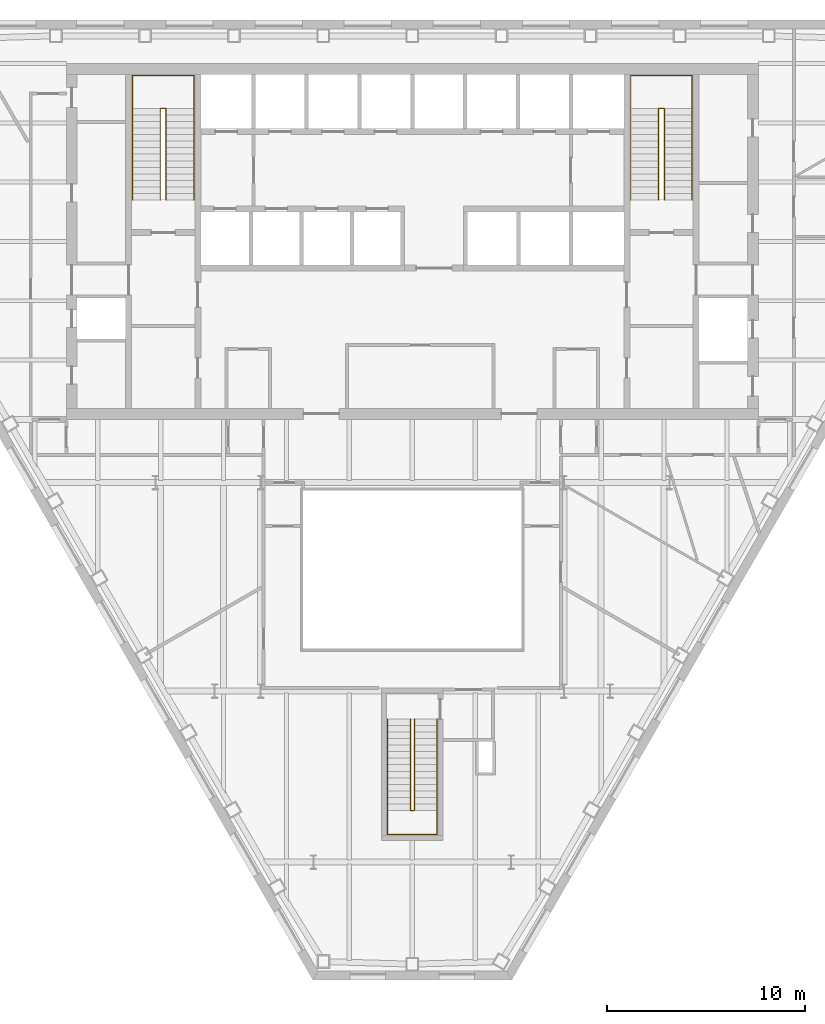
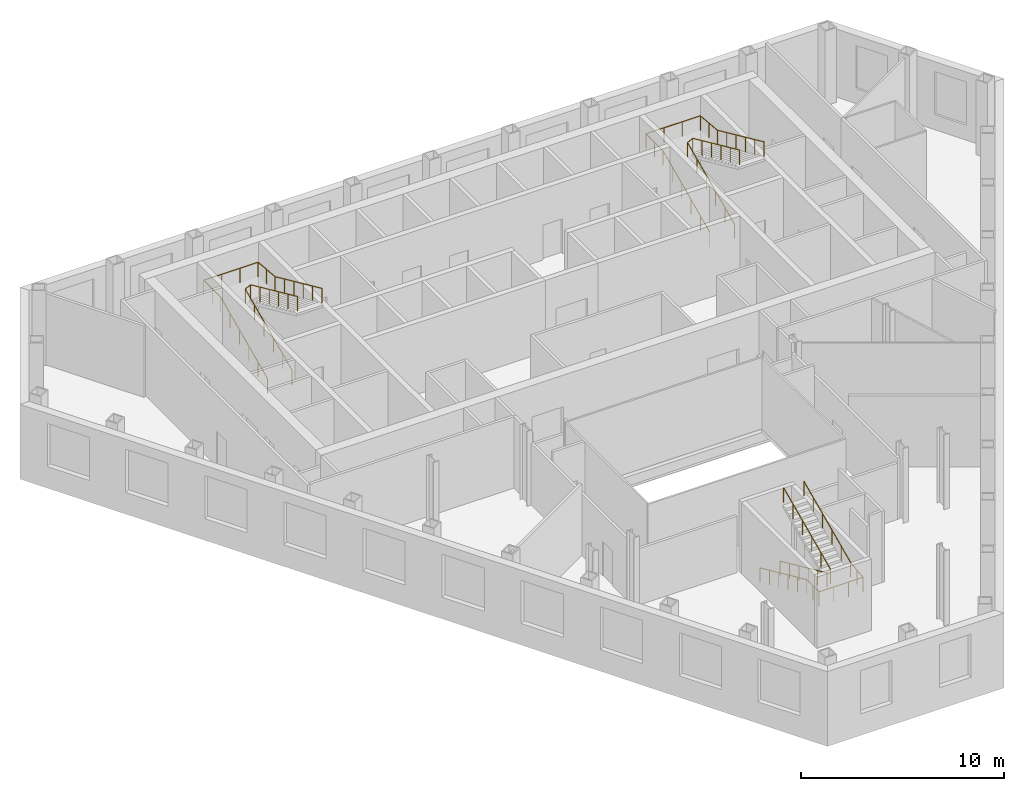
# One storey, part 11 of 11: 6 railings.
"""IFC4 building model written with IfcOpenShell, lengths in metres."""

from ifc_helpers import new_model, si_unit, direction, frame, origin, origin_2d, place, context, subcontext, project, spatial, circle, extrude, material, type_object, element, save


model = new_model("IFC4")

# Units and contexts
model_context = context("Model", 3, precision=1e-05, world=origin(), true_north=direction((0.0, 1.0)))
body_context = subcontext(model_context, "Body", "Model", "MODEL_VIEW")
ifc_project = project(units=[si_unit("LENGTHUNIT", "METRE"), si_unit("AREAUNIT", "SQUARE_METRE"), si_unit("VOLUMEUNIT", "CUBIC_METRE"), si_unit("PLANEANGLEUNIT", "RADIAN"), si_unit("MASSUNIT", "GRAM", prefix="KILO")], contexts=[model_context])

# Site, building, storey
site_placement = place(None, origin())
site = spatial("IfcSite", under=ifc_project, at=site_placement, CompositionType="ELEMENT")
building_placement = place(site_placement, origin())
building = spatial("IfcBuilding", under=site, at=building_placement, Name="Njiva Tower", CompositionType="ELEMENT")
storey_placement = place(building_placement, frame((0.0, 0.0, 102.3)))
storey = spatial("IfcBuildingStorey", under=building, at=storey_placement, Name="L21", CompositionType="ELEMENT", Elevation=102.3)

# Railings
ifc_material = material(Name="Stainless steel", Category="steel")
railing_type = type_object("IfcRailingType", Name="RL1 Stair handrail 900", PredefinedType="HANDRAIL", material=ifc_material)
railing_1_placement = place(storey_placement, frame((-14.15, 11.1, 0.15)))
element("IfcRailing", 1, at=railing_1_placement, inside=storey, type_object=railing_type, Name="Stair A handrail", PredefinedType="HANDRAIL", context=body_context, shape_type="SweptSolid", body=[
    extrude(circle(Radius=0.024, at=origin_2d()), frame((0.0, 0.0, 0.876), z_axis=(0.0, 0.910366477463, 0.413802944301), x_axis=(-1.0, 0.0, 0.0)), (0.0, 0.0, 1.0), 5.0749),
    extrude(circle(Radius=0.024, at=origin_2d()), frame((0.0, 4.62, 2.976), z_axis=(0.0, 1.0, 0.0), x_axis=(-1.0, 0.0, 0.0)), (0.0, 0.0, 1.0), 1.68),
    extrude(circle(Radius=0.024, at=origin_2d()), frame((0.0, 6.3, 2.976), z_axis=(1.0, 0.0, 0.0), x_axis=(0.0, 1.0, 0.0)), (0.0, 0.0, 1.0), 3.1),
    extrude(circle(Radius=0.024, at=origin_2d()), frame((3.1, 6.3, 2.976), z_axis=(0.0, -0.996037705314, 0.088931937975), x_axis=(1.0, 0.0, 0.0)), (0.0, 0.0, 1.0), 1.6867),
    extrude(circle(Radius=0.024, at=origin_2d()), frame((3.1, 4.62, 3.126), z_axis=(0.0, -0.910366477463, 0.413802944301), x_axis=(1.0, 0.0, 0.0)), (0.0, 0.0, 1.0), 5.0749),
    extrude(circle(Radius=0.021, at=origin_2d()), origin(), (0.0, 0.0, 1.0), 0.852),
    extrude(circle(Radius=0.021, at=origin_2d()), frame((0.0, 0.924, 0.42)), (0.0, 0.0, 1.0), 0.852),
    extrude(circle(Radius=0.021, at=origin_2d()), frame((0.0, 1.848, 0.84)), (0.0, 0.0, 1.0), 0.852),
    extrude(circle(Radius=0.021, at=origin_2d()), frame((0.0, 2.772, 1.26)), (0.0, 0.0, 1.0), 0.852),
    extrude(circle(Radius=0.021, at=origin_2d()), frame((0.0, 3.696, 1.68)), (0.0, 0.0, 1.0), 0.852),
    extrude(circle(Radius=0.021, at=origin_2d()), frame((0.0, 4.62, 2.1)), (0.0, 0.0, 1.0), 0.852),
    extrude(circle(Radius=0.021, at=origin_2d()), frame((0.0, 5.46, 2.1)), (0.0, 0.0, 1.0), 0.852),
    extrude(circle(Radius=0.021, at=origin_2d()), frame((0.0, 6.3, 2.1)), (0.0, 0.0, 1.0), 0.852),
    extrude(circle(Radius=0.021, at=origin_2d()), frame((1.0333, 6.3, 2.1)), (0.0, 0.0, 1.0), 0.852),
    extrude(circle(Radius=0.021, at=origin_2d()), frame((2.0667, 6.3, 2.1)), (0.0, 0.0, 1.0), 0.852),
    extrude(circle(Radius=0.021, at=origin_2d()), frame((3.1, 6.3, 2.1)), (0.0, 0.0, 1.0), 0.852),
    extrude(circle(Radius=0.021, at=origin_2d()), frame((3.1, 5.46, 2.175)), (0.0, 0.0, 1.0), 0.852),
    extrude(circle(Radius=0.021, at=origin_2d()), frame((3.1, 4.62, 2.25)), (0.0, 0.0, 1.0), 0.852),
    extrude(circle(Radius=0.021, at=origin_2d()), frame((3.1, 3.696, 2.67)), (0.0, 0.0, 1.0), 0.852),
    extrude(circle(Radius=0.021, at=origin_2d()), frame((3.1, 2.772, 3.09)), (0.0, 0.0, 1.0), 0.852),
    extrude(circle(Radius=0.021, at=origin_2d()), frame((3.1, 1.848, 3.51)), (0.0, 0.0, 1.0), 0.852),
    extrude(circle(Radius=0.021, at=origin_2d()), frame((3.1, 0.924, 3.93)), (0.0, 0.0, 1.0), 0.852),
    extrude(circle(Radius=0.021, at=origin_2d()), frame((3.1, 0.0, 4.35)), (0.0, 0.0, 1.0), 0.852),
])
railing_2_placement = place(storey_placement, frame((-12.75, 11.1, 0.15)))
element("IfcRailing", 2, at=railing_2_placement, inside=storey, type_object=railing_type, Name="Stair A handrail", PredefinedType="HANDRAIL", context=body_context, shape_type="SweptSolid", body=[
    extrude(circle(Radius=0.024, at=origin_2d()), frame((0.0, 0.0, 0.876), z_axis=(0.0, 0.910366477463, 0.413802944301), x_axis=(-1.0, 0.0, 0.0)), (0.0, 0.0, 1.0), 5.0749),
    extrude(circle(Radius=0.024, at=origin_2d()), frame((0.0, 4.62, 2.976), z_axis=(0.894427191, 0.0, 0.4472135955), x_axis=(0.0, 1.0, 0.0)), (0.0, 0.0, 1.0), 0.3354),
    extrude(circle(Radius=0.024, at=origin_2d()), frame((0.3, 4.62, 3.126), z_axis=(0.0, -0.910366477463, 0.413802944301), x_axis=(1.0, 0.0, 0.0)), (0.0, 0.0, 1.0), 5.0749),
    extrude(circle(Radius=0.021, at=origin_2d()), origin(), (0.0, 0.0, 1.0), 0.852),
    extrude(circle(Radius=0.021, at=origin_2d()), frame((0.0, 0.924, 0.42)), (0.0, 0.0, 1.0), 0.852),
    extrude(circle(Radius=0.021, at=origin_2d()), frame((0.0, 1.848, 0.84)), (0.0, 0.0, 1.0), 0.852),
    extrude(circle(Radius=0.021, at=origin_2d()), frame((0.0, 2.772, 1.26)), (0.0, 0.0, 1.0), 0.852),
    extrude(circle(Radius=0.021, at=origin_2d()), frame((0.0, 3.696, 1.68)), (0.0, 0.0, 1.0), 0.852),
    extrude(circle(Radius=0.021, at=origin_2d()), frame((0.0, 4.62, 2.1)), (0.0, 0.0, 1.0), 0.852),
    extrude(circle(Radius=0.021, at=origin_2d()), frame((0.3, 4.62, 2.25)), (0.0, 0.0, 1.0), 0.852),
    extrude(circle(Radius=0.021, at=origin_2d()), frame((0.3, 3.696, 2.67)), (0.0, 0.0, 1.0), 0.852),
    extrude(circle(Radius=0.021, at=origin_2d()), frame((0.3, 2.772, 3.09)), (0.0, 0.0, 1.0), 0.852),
    extrude(circle(Radius=0.021, at=origin_2d()), frame((0.3, 1.848, 3.51)), (0.0, 0.0, 1.0), 0.852),
    extrude(circle(Radius=0.021, at=origin_2d()), frame((0.3, 0.924, 3.93)), (0.0, 0.0, 1.0), 0.852),
    extrude(circle(Radius=0.021, at=origin_2d()), frame((0.3, 0.0, 4.35)), (0.0, 0.0, 1.0), 0.852),
])
railing_3_placement = place(storey_placement, frame((11.05, 11.1, 0.15)))
element("IfcRailing", 3, at=railing_3_placement, inside=storey, type_object=railing_type, Name="Stair B handrail", PredefinedType="HANDRAIL", context=body_context, shape_type="SweptSolid", body=[
    extrude(circle(Radius=0.024, at=origin_2d()), frame((0.0, 0.0, 0.876), z_axis=(0.0, 0.910366477463, 0.413802944301), x_axis=(-1.0, 0.0, 0.0)), (0.0, 0.0, 1.0), 5.0749),
    extrude(circle(Radius=0.024, at=origin_2d()), frame((0.0, 4.62, 2.976), z_axis=(0.0, 1.0, 0.0), x_axis=(-1.0, 0.0, 0.0)), (0.0, 0.0, 1.0), 1.68),
    extrude(circle(Radius=0.024, at=origin_2d()), frame((0.0, 6.3, 2.976), z_axis=(1.0, 0.0, 0.0), x_axis=(0.0, 1.0, 0.0)), (0.0, 0.0, 1.0), 3.1),
    extrude(circle(Radius=0.024, at=origin_2d()), frame((3.1, 6.3, 2.976), z_axis=(0.0, -0.996037705314, 0.088931937975), x_axis=(1.0, 0.0, 0.0)), (0.0, 0.0, 1.0), 1.6867),
    extrude(circle(Radius=0.024, at=origin_2d()), frame((3.1, 4.62, 3.126), z_axis=(0.0, -0.910366477463, 0.413802944301), x_axis=(1.0, 0.0, 0.0)), (0.0, 0.0, 1.0), 5.0749),
    extrude(circle(Radius=0.021, at=origin_2d()), origin(), (0.0, 0.0, 1.0), 0.852),
    extrude(circle(Radius=0.021, at=origin_2d()), frame((0.0, 0.924, 0.42)), (0.0, 0.0, 1.0), 0.852),
    extrude(circle(Radius=0.021, at=origin_2d()), frame((0.0, 1.848, 0.84)), (0.0, 0.0, 1.0), 0.852),
    extrude(circle(Radius=0.021, at=origin_2d()), frame((0.0, 2.772, 1.26)), (0.0, 0.0, 1.0), 0.852),
    extrude(circle(Radius=0.021, at=origin_2d()), frame((0.0, 3.696, 1.68)), (0.0, 0.0, 1.0), 0.852),
    extrude(circle(Radius=0.021, at=origin_2d()), frame((0.0, 4.62, 2.1)), (0.0, 0.0, 1.0), 0.852),
    extrude(circle(Radius=0.021, at=origin_2d()), frame((0.0, 5.46, 2.1)), (0.0, 0.0, 1.0), 0.852),
    extrude(circle(Radius=0.021, at=origin_2d()), frame((0.0, 6.3, 2.1)), (0.0, 0.0, 1.0), 0.852),
    extrude(circle(Radius=0.021, at=origin_2d()), frame((1.0333, 6.3, 2.1)), (0.0, 0.0, 1.0), 0.852),
    extrude(circle(Radius=0.021, at=origin_2d()), frame((2.0667, 6.3, 2.1)), (0.0, 0.0, 1.0), 0.852),
    extrude(circle(Radius=0.021, at=origin_2d()), frame((3.1, 6.3, 2.1)), (0.0, 0.0, 1.0), 0.852),
    extrude(circle(Radius=0.021, at=origin_2d()), frame((3.1, 5.46, 2.175)), (0.0, 0.0, 1.0), 0.852),
    extrude(circle(Radius=0.021, at=origin_2d()), frame((3.1, 4.62, 2.25)), (0.0, 0.0, 1.0), 0.852),
    extrude(circle(Radius=0.021, at=origin_2d()), frame((3.1, 3.696, 2.67)), (0.0, 0.0, 1.0), 0.852),
    extrude(circle(Radius=0.021, at=origin_2d()), frame((3.1, 2.772, 3.09)), (0.0, 0.0, 1.0), 0.852),
    extrude(circle(Radius=0.021, at=origin_2d()), frame((3.1, 1.848, 3.51)), (0.0, 0.0, 1.0), 0.852),
    extrude(circle(Radius=0.021, at=origin_2d()), frame((3.1, 0.924, 3.93)), (0.0, 0.0, 1.0), 0.852),
    extrude(circle(Radius=0.021, at=origin_2d()), frame((3.1, 0.0, 4.35)), (0.0, 0.0, 1.0), 0.852),
])
railing_4_placement = place(storey_placement, frame((12.45, 11.1, 0.15)))
element("IfcRailing", 4, at=railing_4_placement, inside=storey, type_object=railing_type, Name="Stair B handrail", PredefinedType="HANDRAIL", context=body_context, shape_type="SweptSolid", body=[
    extrude(circle(Radius=0.024, at=origin_2d()), frame((0.0, 0.0, 0.876), z_axis=(0.0, 0.910366477463, 0.413802944301), x_axis=(-1.0, 0.0, 0.0)), (0.0, 0.0, 1.0), 5.0749),
    extrude(circle(Radius=0.024, at=origin_2d()), frame((0.0, 4.62, 2.976), z_axis=(0.894427191, 0.0, 0.4472135955), x_axis=(0.0, 1.0, 0.0)), (0.0, 0.0, 1.0), 0.3354),
    extrude(circle(Radius=0.024, at=origin_2d()), frame((0.3, 4.62, 3.126), z_axis=(0.0, -0.910366477463, 0.413802944301), x_axis=(1.0, 0.0, 0.0)), (0.0, 0.0, 1.0), 5.0749),
    extrude(circle(Radius=0.021, at=origin_2d()), origin(), (0.0, 0.0, 1.0), 0.852),
    extrude(circle(Radius=0.021, at=origin_2d()), frame((0.0, 0.924, 0.42)), (0.0, 0.0, 1.0), 0.852),
    extrude(circle(Radius=0.021, at=origin_2d()), frame((0.0, 1.848, 0.84)), (0.0, 0.0, 1.0), 0.852),
    extrude(circle(Radius=0.021, at=origin_2d()), frame((0.0, 2.772, 1.26)), (0.0, 0.0, 1.0), 0.852),
    extrude(circle(Radius=0.021, at=origin_2d()), frame((0.0, 3.696, 1.68)), (0.0, 0.0, 1.0), 0.852),
    extrude(circle(Radius=0.021, at=origin_2d()), frame((0.0, 4.62, 2.1)), (0.0, 0.0, 1.0), 0.852),
    extrude(circle(Radius=0.021, at=origin_2d()), frame((0.3, 4.62, 2.25)), (0.0, 0.0, 1.0), 0.852),
    extrude(circle(Radius=0.021, at=origin_2d()), frame((0.3, 3.696, 2.67)), (0.0, 0.0, 1.0), 0.852),
    extrude(circle(Radius=0.021, at=origin_2d()), frame((0.3, 2.772, 3.09)), (0.0, 0.0, 1.0), 0.852),
    extrude(circle(Radius=0.021, at=origin_2d()), frame((0.3, 1.848, 3.51)), (0.0, 0.0, 1.0), 0.852),
    extrude(circle(Radius=0.021, at=origin_2d()), frame((0.3, 0.924, 3.93)), (0.0, 0.0, 1.0), 0.852),
    extrude(circle(Radius=0.021, at=origin_2d()), frame((0.3, 0.0, 4.35)), (0.0, 0.0, 1.0), 0.852),
])
railing_5_placement = place(storey_placement, frame((-1.25, -15.16, 0.15)))
element("IfcRailing", 5, at=railing_5_placement, inside=storey, type_object=railing_type, Name="Stair C handrail", PredefinedType="HANDRAIL", context=body_context, shape_type="SweptSolid", body=[
    extrude(circle(Radius=0.024, at=origin_2d()), frame((0.0, 0.0, 0.876), z_axis=(0.0, -0.910366477463, 0.413802944301), x_axis=(1.0, 0.0, 0.0)), (0.0, 0.0, 1.0), 5.0749),
    extrude(circle(Radius=0.024, at=origin_2d()), frame((0.0, -4.62, 2.976), z_axis=(0.0, -1.0, 0.0), x_axis=(1.0, 0.0, 0.0)), (0.0, 0.0, 1.0), 1.22),
    extrude(circle(Radius=0.024, at=origin_2d()), frame((0.0, -5.84, 2.976), z_axis=(1.0, 0.0, 0.0), x_axis=(0.0, 1.0, 0.0)), (0.0, 0.0, 1.0), 2.5),
    extrude(circle(Radius=0.024, at=origin_2d()), frame((2.5, -5.84, 2.976), z_axis=(0.0, 0.992526177815, 0.122031907108), x_axis=(-1.0, 0.0, 0.0)), (0.0, 0.0, 1.0), 1.2292),
    extrude(circle(Radius=0.024, at=origin_2d()), frame((2.5, -4.62, 3.126), z_axis=(0.0, 0.910366477463, 0.413802944301), x_axis=(-1.0, 0.0, 0.0)), (0.0, 0.0, 1.0), 5.0749),
    extrude(circle(Radius=0.021, at=origin_2d()), origin(), (0.0, 0.0, 1.0), 0.852),
    extrude(circle(Radius=0.021, at=origin_2d()), frame((0.0, -0.924, 0.42)), (0.0, 0.0, 1.0), 0.852),
    extrude(circle(Radius=0.021, at=origin_2d()), frame((0.0, -1.848, 0.84)), (0.0, 0.0, 1.0), 0.852),
    extrude(circle(Radius=0.021, at=origin_2d()), frame((0.0, -2.772, 1.26)), (0.0, 0.0, 1.0), 0.852),
    extrude(circle(Radius=0.021, at=origin_2d()), frame((0.0, -3.696, 1.68)), (0.0, 0.0, 1.0), 0.852),
    extrude(circle(Radius=0.021, at=origin_2d()), frame((0.0, -4.62, 2.1)), (0.0, 0.0, 1.0), 0.852),
    extrude(circle(Radius=0.021, at=origin_2d()), frame((0.0, -5.23, 2.1)), (0.0, 0.0, 1.0), 0.852),
    extrude(circle(Radius=0.021, at=origin_2d()), frame((0.0, -5.84, 2.1)), (0.0, 0.0, 1.0), 0.852),
    extrude(circle(Radius=0.021, at=origin_2d()), frame((0.8333, -5.84, 2.1)), (0.0, 0.0, 1.0), 0.852),
    extrude(circle(Radius=0.021, at=origin_2d()), frame((1.6667, -5.84, 2.1)), (0.0, 0.0, 1.0), 0.852),
    extrude(circle(Radius=0.021, at=origin_2d()), frame((2.5, -5.84, 2.1)), (0.0, 0.0, 1.0), 0.852),
    extrude(circle(Radius=0.021, at=origin_2d()), frame((2.5, -5.23, 2.175)), (0.0, 0.0, 1.0), 0.852),
    extrude(circle(Radius=0.021, at=origin_2d()), frame((2.5, -4.62, 2.25)), (0.0, 0.0, 1.0), 0.852),
    extrude(circle(Radius=0.021, at=origin_2d()), frame((2.5, -3.696, 2.67)), (0.0, 0.0, 1.0), 0.852),
    extrude(circle(Radius=0.021, at=origin_2d()), frame((2.5, -2.772, 3.09)), (0.0, 0.0, 1.0), 0.852),
    extrude(circle(Radius=0.021, at=origin_2d()), frame((2.5, -1.848, 3.51)), (0.0, 0.0, 1.0), 0.852),
    extrude(circle(Radius=0.021, at=origin_2d()), frame((2.5, -0.924, 3.93)), (0.0, 0.0, 1.0), 0.852),
    extrude(circle(Radius=0.021, at=origin_2d()), frame((2.5, 0.0, 4.35)), (0.0, 0.0, 1.0), 0.852),
])
railing_6_placement = place(storey_placement, frame((-0.1, -15.16, 0.15)))
element("IfcRailing", 6, at=railing_6_placement, inside=storey, type_object=railing_type, Name="Stair C handrail", PredefinedType="HANDRAIL", context=body_context, shape_type="SweptSolid", body=[
    extrude(circle(Radius=0.024, at=origin_2d()), frame((0.0, 0.0, 0.876), z_axis=(0.0, -0.910366477463, 0.413802944301), x_axis=(1.0, 0.0, 0.0)), (0.0, 0.0, 1.0), 5.0749),
    extrude(circle(Radius=0.024, at=origin_2d()), frame((0.0, -4.62, 2.976), z_axis=(0.8, 0.0, 0.6), x_axis=(0.0, 1.0, 0.0)), (0.0, 0.0, 1.0), 0.25),
    extrude(circle(Radius=0.024, at=origin_2d()), frame((0.2, -4.62, 3.126), z_axis=(0.0, 0.910366477463, 0.413802944301), x_axis=(-1.0, 0.0, 0.0)), (0.0, 0.0, 1.0), 5.0749),
    extrude(circle(Radius=0.021, at=origin_2d()), origin(), (0.0, 0.0, 1.0), 0.852),
    extrude(circle(Radius=0.021, at=origin_2d()), frame((0.0, -0.924, 0.42)), (0.0, 0.0, 1.0), 0.852),
    extrude(circle(Radius=0.021, at=origin_2d()), frame((0.0, -1.848, 0.84)), (0.0, 0.0, 1.0), 0.852),
    extrude(circle(Radius=0.021, at=origin_2d()), frame((0.0, -2.772, 1.26)), (0.0, 0.0, 1.0), 0.852),
    extrude(circle(Radius=0.021, at=origin_2d()), frame((0.0, -3.696, 1.68)), (0.0, 0.0, 1.0), 0.852),
    extrude(circle(Radius=0.021, at=origin_2d()), frame((0.0, -4.62, 2.1)), (0.0, 0.0, 1.0), 0.852),
    extrude(circle(Radius=0.021, at=origin_2d()), frame((0.2, -4.62, 2.25)), (0.0, 0.0, 1.0), 0.852),
    extrude(circle(Radius=0.021, at=origin_2d()), frame((0.2, -3.696, 2.67)), (0.0, 0.0, 1.0), 0.852),
    extrude(circle(Radius=0.021, at=origin_2d()), frame((0.2, -2.772, 3.09)), (0.0, 0.0, 1.0), 0.852),
    extrude(circle(Radius=0.021, at=origin_2d()), frame((0.2, -1.848, 3.51)), (0.0, 0.0, 1.0), 0.852),
    extrude(circle(Radius=0.021, at=origin_2d()), frame((0.2, -0.924, 3.93)), (0.0, 0.0, 1.0), 0.852),
    extrude(circle(Radius=0.021, at=origin_2d()), frame((0.2, 0.0, 4.35)), (0.0, 0.0, 1.0), 0.852),
])

save(model, "model.ifc")
